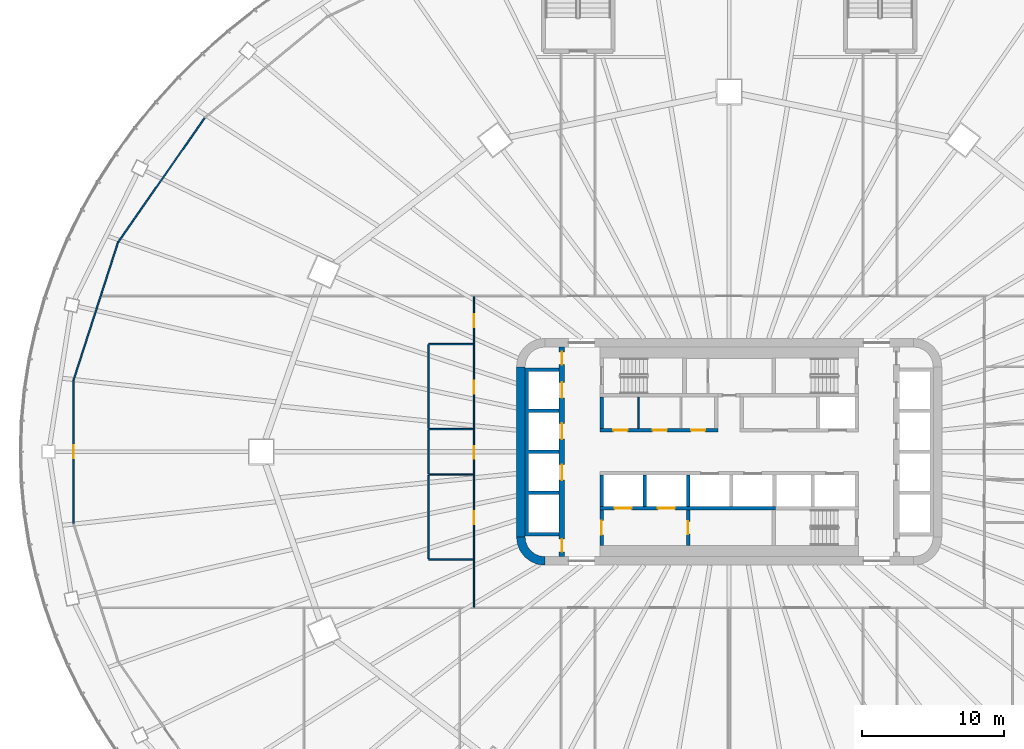
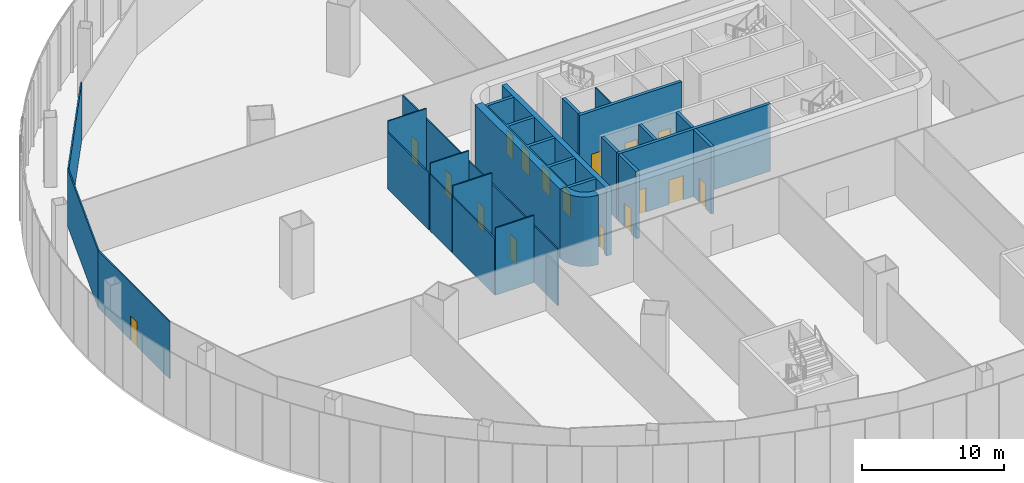
# One storey, part 22 of 37: 24 walls, 17 doors, 17 openings.
"""IFC4 building model written with IfcOpenShell, lengths in metres."""

from ifc_helpers import new_model, si_unit, direction, frame, frame_2d, origin, place, context, subcontext, project, spatial, polyline, rectangle, outline, extrude, material, layer, layer_set, type_object, element, fill, save


model = new_model("IFC4")

# Units and contexts
model_context = context("Model", 3, precision=1e-05, world=origin(), true_north=direction((0.0, 1.0)))
body_context = subcontext(model_context, "Body", "Model", "MODEL_VIEW")
ifc_project = project(units=[si_unit("LENGTHUNIT", "METRE"), si_unit("AREAUNIT", "SQUARE_METRE"), si_unit("VOLUMEUNIT", "CUBIC_METRE"), si_unit("PLANEANGLEUNIT", "RADIAN"), si_unit("MASSUNIT", "GRAM", prefix="KILO")], contexts=[model_context])

# Site, building, storey
site_placement = place(None, origin())
site = spatial("IfcSite", under=ifc_project, at=site_placement, CompositionType="ELEMENT")
building_placement = place(site_placement, origin())
building = spatial("IfcBuilding", under=site, at=building_placement, Name="Sahrelin Media Tower", CompositionType="ELEMENT")
storey_placement = place(building_placement, frame((0.0, 0.0, 31.39990234375)))
storey = spatial("IfcBuildingStorey", under=building, at=storey_placement, Name="L04", CompositionType="ELEMENT", Elevation=31.39990234375)

# Walls
ifc_material_1 = material(Name="Concrete C60/75", Category="concrete")
ifc_layer_1 = layer(ifc_material_1, 0.60009765625)
ifc_layer_set_1 = layer_set([ifc_layer_1], Name="Core wall 600")
wall_type_1 = type_object("IfcWallType", Name="Core wall 600", PredefinedType="SHEAR", material=ifc_layer_set_1)
wall_1_placement = place(storey_placement, frame((-14.699951171875, -6.0, 0.0), z_axis=(0.0, 0.0, 1.0), x_axis=(0.0, 1.0, 0.0)))
element("IfcWall", 1, at=wall_1_placement, inside=storey, type_object=wall_type_1, Name="Core wall W L04", PredefinedType="SHEAR", context=body_context, shape_type="SweptSolid", body=[
    extrude(rectangle(XDim=12.0, YDim=0.60009765625, at=frame_2d((6.0, 0.0))), origin(), (0.0, 0.0, 1.0), 6.0),
])
placement = place(storey_placement, origin())
element("IfcWall", 2, at=placement, inside=storey, type_object=wall_type_1, Name="Core wall corner SW L04", PredefinedType="SHEAR", context=body_context, shape_type="SweptSolid", body=[
    extrude(outline(polyline([(-13.0, -8.0), (-13.0, -7.394775390625), (-13.361083984375, -7.347412109375), (-13.697509765625, -7.2080078125), (-13.986328125, -6.986328125), (-14.2080078125, -6.697509765625), (-14.347412109375, -6.361083984375), (-14.394775390625, -6.0), (-15.0, -6.0), (-14.931884765625, -6.517578125), (-14.732177734375, -7.0), (-14.414306640625, -7.414306640625), (-14.0, -7.732177734375), (-13.517578125, -7.931884765625), (-13.0, -8.0)])), origin(), (0.0, 0.0, 1.0), 6.0),
])

# Wall, openings, doors
ifc_material_2 = material(Name="Fire-rated gypsum board partition")
ifc_layer_2 = layer(ifc_material_2, 0.25)
ifc_layer_set_2 = layer_set([ifc_layer_2], Name="Fire-rated lobby wall 250")
wall_type_2 = type_object("IfcWallType", Name="Fire-rated lobby wall 250", PredefinedType="PARTITIONING", material=ifc_layer_set_2)
wall_3_placement = place(storey_placement, frame((-9.125, 1.52490234375, 0.0), z_axis=(0.0, 0.0, 1.0), x_axis=(1.0, 0.0, 0.0)))
wall_3 = element("IfcWall", 3, at=wall_3_placement, inside=storey, type_object=wall_type_2, Name="Core lobby wall", PredefinedType="PARTITIONING", context=body_context, shape_type="SweptSolid", body=[
    extrude(rectangle(XDim=8.35009765625, YDim=0.25, at=frame_2d((4.175048828125, 0.0))), origin(), (0.0, 0.0, 1.0), 5.800048828125),
])
opening_1_placement = place(wall_3_placement, frame((0.96240234375, 0.0, 0.0)))
opening_1 = element("IfcOpeningElement", 4, at=opening_1_placement, cuts=wall_3, Name="Opening L04-D08", PredefinedType="OPENING", context=body_context, shape_type="SweptSolid", body=[
    extrude(rectangle(XDim=1.0, YDim=2.10009765625, at=frame_2d((0.5, 1.050048828125))), frame((0.0, 0.125, 0.0), z_axis=(0.0, -1.0, 0.0), x_axis=(1.0, 0.0, 0.0)), (0.0, 0.0, 1.0), 0.25),
])
opening_2_placement = place(wall_3_placement, frame((3.72509765625, 0.0, 0.0)))
opening_2 = element("IfcOpeningElement", 5, at=opening_2_placement, cuts=wall_3, Name="Opening L04-D09", PredefinedType="OPENING", context=body_context, shape_type="SweptSolid", body=[
    extrude(rectangle(XDim=1.0, YDim=2.10009765625, at=frame_2d((0.5, 1.050048828125))), frame((0.0, 0.125, 0.0), z_axis=(0.0, -1.0, 0.0), x_axis=(1.0, 0.0, 0.0)), (0.0, 0.0, 1.0), 0.25),
])
opening_3_placement = place(wall_3_placement, frame((6.4375, 0.0, 0.0)))
opening_3 = element("IfcOpeningElement", 6, at=opening_3_placement, cuts=wall_3, Name="Opening L04-D10", PredefinedType="OPENING", context=body_context, shape_type="SweptSolid", body=[
    extrude(rectangle(XDim=1.0, YDim=2.10009765625, at=frame_2d((0.5, 1.050048828125))), frame((0.0, 0.125, 0.0), z_axis=(0.0, -1.0, 0.0), x_axis=(1.0, 0.0, 0.0)), (0.0, 0.0, 1.0), 0.25),
])
ifc_material_3 = material(Name="Steel fire door leaf", Category="steel")
door_type_1 = type_object("IfcDoorType", Name="Fire door 1000 x 2100 EI 60", OperationType="NOTDEFINED", PredefinedType="DOOR", material=ifc_material_3)
door_1_placement = place(opening_1_placement, origin())
door_1 = element("IfcDoor", 7, at=door_1_placement, inside=storey, type_object=door_type_1, Name="Core room door", OperationType="SINGLE_SWING_LEFT", OverallHeight=2.10009765625, OverallWidth=1.0, PredefinedType="DOOR", context=body_context, shape_type="SweptSolid", body=[
    extrude(rectangle(XDim=1.0, YDim=2.10009765625, at=frame_2d((0.5, 1.050048828125))), frame((0.0, 0.02490234375, 0.0), z_axis=(0.0, -1.0, 0.0), x_axis=(1.0, 0.0, 0.0)), (0.0, 0.0, 1.0), 0.050048828125),
])
fill(opening_1, door_1)
door_2_placement = place(opening_2_placement, origin())
door_2 = element("IfcDoor", 8, at=door_2_placement, inside=storey, type_object=door_type_1, Name="Core room door", OperationType="SINGLE_SWING_LEFT", OverallHeight=2.10009765625, OverallWidth=1.0, PredefinedType="DOOR", context=body_context, shape_type="SweptSolid", body=[
    extrude(rectangle(XDim=1.0, YDim=2.10009765625, at=frame_2d((0.5, 1.050048828125))), frame((0.0, 0.02490234375, 0.0), z_axis=(0.0, -1.0, 0.0), x_axis=(1.0, 0.0, 0.0)), (0.0, 0.0, 1.0), 0.050048828125),
])
fill(opening_2, door_2)
door_3_placement = place(opening_3_placement, origin())
door_3 = element("IfcDoor", 9, at=door_3_placement, inside=storey, type_object=door_type_1, Name="Core room door", OperationType="SINGLE_SWING_LEFT", OverallHeight=2.10009765625, OverallWidth=1.0, PredefinedType="DOOR", context=body_context, shape_type="SweptSolid", body=[
    extrude(rectangle(XDim=1.0, YDim=2.10009765625, at=frame_2d((0.5, 1.050048828125))), frame((0.0, 0.02490234375, 0.0), z_axis=(0.0, -1.0, 0.0), x_axis=(1.0, 0.0, 0.0)), (0.0, 0.0, 1.0), 0.050048828125),
])
fill(opening_3, door_3)

# Walls
wall_4_placement = place(storey_placement, frame((-9.0, 1.64990234375, 0.0), z_axis=(0.0, 0.0, 1.0), x_axis=(0.0, 1.0, 0.0)))
element("IfcWall", 10, at=wall_4_placement, inside=storey, type_object=wall_type_2, Name="Core lobby wall", PredefinedType="PARTITIONING", context=body_context, shape_type="SweptSolid", body=[
    extrude(rectangle(XDim=2.2001953125, YDim=0.25, at=frame_2d((1.10009765625, 0.0))), origin(), (0.0, 0.0, 1.0), 5.800048828125),
])
ifc_layer_3 = layer(ifc_material_2, 0.10009765625)
ifc_layer_set_3 = layer_set([ifc_layer_3], Name="Fire-rated partition 100")
wall_type_3 = type_object("IfcWallType", Name="Fire-rated partition 100", PredefinedType="PARTITIONING", material=ifc_layer_set_3)
wall_5_placement = place(storey_placement, frame((-6.39990234375, 1.64990234375, 0.0), z_axis=(0.0, 0.0, 1.0), x_axis=(0.0, 1.0, 0.0)))
element("IfcWall", 11, at=wall_5_placement, inside=storey, type_object=wall_type_3, Name="Core room partition", PredefinedType="PARTITIONING", context=body_context, shape_type="SweptSolid", body=[
    extrude(rectangle(XDim=2.2001953125, YDim=0.10009765625, at=frame_2d((1.10009765625, 0.0))), origin(), (0.0, 0.0, 1.0), 5.800048828125),
])

# Wall, opening, door
ifc_layer_4 = layer(ifc_material_2, 0.25)
ifc_layer_set_4 = layer_set([ifc_layer_4], Name="Firefighting lobby wall 250")
wall_type_4 = type_object("IfcWallType", Name="Firefighting lobby wall 250", PredefinedType="PARTITIONING", material=ifc_layer_set_4)
wall_6_placement = place(storey_placement, frame((-9.0, -6.60009765625, 0.0), z_axis=(0.0, 0.0, 1.0), x_axis=(0.0, 1.0, 0.0)))
wall_6 = element("IfcWall", 12, at=wall_6_placement, inside=storey, type_object=wall_type_4, Name="Core wall", PredefinedType="PARTITIONING", context=body_context, shape_type="SweptSolid", body=[
    extrude(rectangle(XDim=2.5, YDim=0.25, at=frame_2d((1.25, 0.0))), origin(), (0.0, 0.0, 1.0), 5.800048828125),
])
opening_4_placement = place(wall_6_placement, frame((0.75, 0.0, 0.0)))
opening_4 = element("IfcOpeningElement", 13, at=opening_4_placement, cuts=wall_6, Name="Opening L04-D04", PredefinedType="OPENING", context=body_context, shape_type="SweptSolid", body=[
    extrude(rectangle(XDim=1.0, YDim=2.10009765625, at=frame_2d((0.5, 1.050048828125))), frame((0.0, 0.125, 0.0), z_axis=(0.0, -1.0, 0.0), x_axis=(1.0, 0.0, 0.0)), (0.0, 0.0, 1.0), 0.25),
])
door_type_2 = type_object("IfcDoorType", Name="Firefighting lobby door 1000 x 2100 EI 120", OperationType="NOTDEFINED", PredefinedType="DOOR", material=ifc_material_3)
door_4_placement = place(opening_4_placement, origin())
door_4 = element("IfcDoor", 14, at=door_4_placement, inside=storey, type_object=door_type_2, Name="Firefighting lobby door", OperationType="SINGLE_SWING_LEFT", OverallHeight=2.10009765625, OverallWidth=1.0, PredefinedType="DOOR", context=body_context, shape_type="SweptSolid", body=[
    extrude(rectangle(XDim=1.0, YDim=2.10009765625, at=frame_2d((0.5, 1.050048828125))), frame((0.0, 0.02490234375, 0.0), z_axis=(0.0, -1.0, 0.0), x_axis=(1.0, 0.0, 0.0)), (0.0, 0.0, 1.0), 0.050048828125),
])
fill(opening_4, door_4)

wall_7_placement = place(storey_placement, frame((-2.89990234375, -6.60009765625, 0.0), z_axis=(0.0, 0.0, 1.0), x_axis=(0.0, 1.0, 0.0)))
wall_7 = element("IfcWall", 15, at=wall_7_placement, inside=storey, type_object=wall_type_4, Name="Core wall", PredefinedType="PARTITIONING", context=body_context, shape_type="SweptSolid", body=[
    extrude(rectangle(XDim=2.5, YDim=0.25, at=frame_2d((1.25, 0.0))), origin(), (0.0, 0.0, 1.0), 5.800048828125),
])
opening_5_placement = place(wall_7_placement, frame((0.800048828125, 0.0, 0.0)))
opening_5 = element("IfcOpeningElement", 16, at=opening_5_placement, cuts=wall_7, Name="Opening L04-D05", PredefinedType="OPENING", context=body_context, shape_type="SweptSolid", body=[
    extrude(rectangle(XDim=0.89990234375, YDim=2.10009765625, at=frame_2d((0.449951171875, 1.050048828125))), frame((0.0, 0.125, 0.0), z_axis=(0.0, -1.0, 0.0), x_axis=(1.0, 0.0, 0.0)), (0.0, 0.0, 1.0), 0.25),
])
door_type_3 = type_object("IfcDoorType", Name="Firefighting lobby door 900 x 2100 EI 120", OperationType="NOTDEFINED", PredefinedType="DOOR", material=ifc_material_3)
door_5_placement = place(opening_5_placement, origin())
door_5 = element("IfcDoor", 17, at=door_5_placement, inside=storey, type_object=door_type_3, Name="Riser door", OperationType="SINGLE_SWING_RIGHT", OverallHeight=2.10009765625, OverallWidth=0.89990234375, PredefinedType="DOOR", context=body_context, shape_type="SweptSolid", body=[
    extrude(rectangle(XDim=0.89990234375, YDim=2.10009765625, at=frame_2d((0.449951171875, 1.050048828125))), frame((0.0, 0.02490234375, 0.0), z_axis=(0.0, -1.0, 0.0), x_axis=(1.0, 0.0, 0.0)), (0.0, 0.0, 1.0), 0.050048828125),
])
fill(opening_5, door_5)

# Wall, openings, doors
ifc_layer_5 = layer(ifc_material_1, 0.25)
ifc_layer_set_5 = layer_set([ifc_layer_5], Name="Lift shaft wall 250")
wall_type_5 = type_object("IfcWallType", Name="Lift shaft wall 250", PredefinedType="SOLIDWALL", material=ifc_layer_set_5)
wall_8_placement = place(storey_placement, frame((-9.125, -3.97509765625, 0.0), z_axis=(0.0, 0.0, 1.0), x_axis=(1.0, 0.0, 0.0)))
wall_8 = element("IfcWall", 18, at=wall_8_placement, inside=storey, type_object=wall_type_5, Name="Lift shaft wall", PredefinedType="SOLIDWALL", context=body_context, shape_type="SweptSolid", body=[
    extrude(rectangle(XDim=12.39990234375, YDim=0.25, at=frame_2d((6.199951171875, 0.0))), origin(), (0.0, 0.0, 1.0), 5.800048828125),
])
opening_6_placement = place(wall_8_placement, frame((1.050048828125, 0.0, 0.0)))
opening_6 = element("IfcOpeningElement", 19, at=opening_6_placement, cuts=wall_8, Name="Opening L04-LD-FF1", PredefinedType="OPENING", context=body_context, shape_type="SweptSolid", body=[
    extrude(rectangle(XDim=1.199951171875, YDim=2.10009765625, at=frame_2d((0.60009765625, 1.050048828125))), frame((0.0, 0.125, 0.0), z_axis=(0.0, -1.0, 0.0), x_axis=(1.0, 0.0, 0.0)), (0.0, 0.0, 1.0), 0.25),
])
opening_7_placement = place(wall_8_placement, frame((4.10009765625, 0.0, 0.0)))
opening_7 = element("IfcOpeningElement", 20, at=opening_7_placement, cuts=wall_8, Name="Opening L04-LD-FF2", PredefinedType="OPENING", context=body_context, shape_type="SweptSolid", body=[
    extrude(rectangle(XDim=1.199951171875, YDim=2.10009765625, at=frame_2d((0.60009765625, 1.050048828125))), frame((0.0, 0.125, 0.0), z_axis=(0.0, -1.0, 0.0), x_axis=(1.0, 0.0, 0.0)), (0.0, 0.0, 1.0), 0.25),
])
ifc_material_4 = material(Name="Stainless steel", Category="steel")
door_type_4 = type_object("IfcDoorType", Name="Lift landing door 1200 x 2100 EI 120", OperationType="DOUBLE_DOOR_SLIDING", PredefinedType="DOOR", material=ifc_material_4)
door_6_placement = place(opening_6_placement, origin())
door_6 = element("IfcDoor", 21, at=door_6_placement, inside=storey, type_object=door_type_4, Name="Lift landing door FF1", OperationType="DOUBLE_DOOR_SLIDING", OverallHeight=2.10009765625, OverallWidth=1.199951171875, PredefinedType="DOOR", context=body_context, shape_type="SweptSolid", body=[
    extrude(rectangle(XDim=1.199951171875, YDim=2.10009765625, at=frame_2d((0.60009765625, 1.050048828125))), frame((0.0, 0.02490234375, 0.0), z_axis=(0.0, -1.0, 0.0), x_axis=(1.0, 0.0, 0.0)), (0.0, 0.0, 1.0), 0.050048828125),
])
fill(opening_6, door_6)
door_7_placement = place(opening_7_placement, origin())
door_7 = element("IfcDoor", 22, at=door_7_placement, inside=storey, type_object=door_type_4, Name="Lift landing door FF2", OperationType="DOUBLE_DOOR_SLIDING", OverallHeight=2.10009765625, OverallWidth=1.199951171875, PredefinedType="DOOR", context=body_context, shape_type="SweptSolid", body=[
    extrude(rectangle(XDim=1.199951171875, YDim=2.10009765625, at=frame_2d((0.60009765625, 1.050048828125))), frame((0.0, 0.02490234375, 0.0), z_axis=(0.0, -1.0, 0.0), x_axis=(1.0, 0.0, 0.0)), (0.0, 0.0, 1.0), 0.050048828125),
])
fill(opening_7, door_7)

# Walls
for number, where, z_axis, x_axis, name in (
    (23, (-9.0, -3.85009765625, 0.0), (0.0, 0.0, 1.0), (0.0, 1.0, 0.0), "Lift shaft wall"),
    (24, (-5.949951171875, -3.85009765625, 0.0), (0.0, 0.0, 1.0), (0.0, 1.0, 0.0), "Lift shaft wall"),
    (25, (-2.89990234375, -3.85009765625, 0.0), (0.0, 0.0, 1.0), (0.0, 1.0, 0.0), "Lift shaft wall"),
):
    element("IfcWall", number, at=place(storey_placement, frame(where, z_axis=z_axis, x_axis=x_axis)), inside=storey, type_object=wall_type_5, Name=name, PredefinedType="SOLIDWALL", context=body_context, shape_type="SweptSolid", body=[
        extrude(rectangle(XDim=2.2001953125, YDim=0.25, at=frame_2d((1.10009765625, 0.0))), origin(), (0.0, 0.0, 1.0), 5.800048828125),
    ])
element("IfcWall", 26, at=placement, inside=storey, type_object=wall_type_5, Name="Lift shaft wall", PredefinedType="SOLIDWALL", context=body_context, shape_type="SweptSolid", body=[
    extrude(outline(polyline([(-12.0, -5.925048828125), (-12.0, -5.675048828125), (-14.14990234375, -5.675048828125), (-14.14990234375, -3.02490234375), (-12.0, -3.02490234375), (-12.0, -2.77490234375), (-14.14990234375, -2.77490234375), (-14.14990234375, -0.125), (-12.0, -0.125), (-12.0, 0.125), (-14.14990234375, 0.125), (-14.14990234375, 2.77490234375), (-12.0, 2.77490234375), (-12.0, 3.02490234375), (-14.14990234375, 3.02490234375), (-14.14990234375, 5.675048828125), (-12.0, 5.675048828125), (-12.0, 5.925048828125), (-14.14990234375, 5.925048828125), (-14.39990234375, 5.925048828125), (-14.39990234375, 5.675048828125), (-14.39990234375, 3.02490234375), (-14.39990234375, 2.77490234375), (-14.39990234375, 0.125), (-14.39990234375, -0.125), (-14.39990234375, -2.77490234375), (-14.39990234375, -3.02490234375), (-14.39990234375, -5.675048828125), (-14.39990234375, -5.925048828125), (-14.14990234375, -5.925048828125), (-12.0, -5.925048828125)])), origin(), (0.0, 0.0, 1.0), 5.800048828125),
])

# Wall, openings, doors
ifc_layer_6 = layer(ifc_material_1, 0.39990234375)
ifc_layer_set_6 = layer_set([ifc_layer_6], Name="Lift shaft wall 400")
wall_type_6 = type_object("IfcWallType", Name="Lift shaft wall 400", PredefinedType="SOLIDWALL", material=ifc_layer_set_6)
wall_10_placement = place(storey_placement, frame((-11.800048828125, -7.39990234375, 0.0), z_axis=(0.0, 0.0, 1.0), x_axis=(0.0, 1.0, 0.0)))
wall_10 = element("IfcWall", 27, at=wall_10_placement, inside=storey, type_object=wall_type_6, Name="Lift shaft wall", PredefinedType="SOLIDWALL", context=body_context, shape_type="SweptSolid", body=[
    extrude(rectangle(XDim=14.7998046875, YDim=0.39990234375, at=frame_2d((7.39990234375, 0.0))), origin(), (0.0, 0.0, 1.0), 5.800048828125),
])
opening_8_placement = place(wall_10_placement, frame((11.199951171875, 0.0, 0.0)))
opening_8 = element("IfcOpeningElement", 28, at=opening_8_placement, cuts=wall_10, Name="Opening L04-LD-LR1", PredefinedType="OPENING", context=body_context, shape_type="SweptSolid", body=[
    extrude(rectangle(XDim=1.10009765625, YDim=2.10009765625, at=frame_2d((0.550048828125, 1.050048828125))), frame((0.0, 0.199951171875, 0.0), z_axis=(0.0, -1.0, 0.0), x_axis=(1.0, 0.0, 0.0)), (0.0, 0.0, 1.0), 0.39990234375),
])
opening_9_placement = place(wall_10_placement, frame((8.300048828125, 0.0, 0.0)))
opening_9 = element("IfcOpeningElement", 29, at=opening_9_placement, cuts=wall_10, Name="Opening L04-LD-LR2", PredefinedType="OPENING", context=body_context, shape_type="SweptSolid", body=[
    extrude(rectangle(XDim=1.10009765625, YDim=2.10009765625, at=frame_2d((0.550048828125, 1.050048828125))), frame((0.0, 0.199951171875, 0.0), z_axis=(0.0, -1.0, 0.0), x_axis=(1.0, 0.0, 0.0)), (0.0, 0.0, 1.0), 0.39990234375),
])
opening_10_placement = place(wall_10_placement, frame((5.39990234375, 0.0, 0.0)))
opening_10 = element("IfcOpeningElement", 30, at=opening_10_placement, cuts=wall_10, Name="Opening L04-LD-LR3", PredefinedType="OPENING", context=body_context, shape_type="SweptSolid", body=[
    extrude(rectangle(XDim=1.10009765625, YDim=2.10009765625, at=frame_2d((0.550048828125, 1.050048828125))), frame((0.0, 0.199951171875, 0.0), z_axis=(0.0, -1.0, 0.0), x_axis=(1.0, 0.0, 0.0)), (0.0, 0.0, 1.0), 0.39990234375),
])
opening_11_placement = place(wall_10_placement, frame((13.552490234375, 0.0, 0.0)))
opening_11 = element("IfcOpeningElement", 31, at=opening_11_placement, cuts=wall_10, Name="Opening L04-D12", PredefinedType="OPENING", context=body_context, shape_type="SweptSolid", body=[
    extrude(rectangle(XDim=0.89990234375, YDim=2.10009765625, at=frame_2d((0.449951171875, 1.050048828125))), frame((0.0, 0.199951171875, 0.0), z_axis=(0.0, -1.0, 0.0), x_axis=(1.0, 0.0, 0.0)), (0.0, 0.0, 1.0), 0.39990234375),
])
opening_12_placement = place(wall_10_placement, frame((0.347412109375, 0.0, 0.0)))
opening_12 = element("IfcOpeningElement", 32, at=opening_12_placement, cuts=wall_10, Name="Opening L04-D13", PredefinedType="OPENING", context=body_context, shape_type="SweptSolid", body=[
    extrude(rectangle(XDim=0.89990234375, YDim=2.10009765625, at=frame_2d((0.449951171875, 1.050048828125))), frame((0.0, 0.199951171875, 0.0), z_axis=(0.0, -1.0, 0.0), x_axis=(1.0, 0.0, 0.0)), (0.0, 0.0, 1.0), 0.39990234375),
])
door_type_5 = type_object("IfcDoorType", Name="Lift landing door 1100 x 2100 EI 120", OperationType="DOUBLE_DOOR_SLIDING", PredefinedType="DOOR", material=ifc_material_4)
door_8_placement = place(opening_8_placement, origin())
door_8 = element("IfcDoor", 33, at=door_8_placement, inside=storey, type_object=door_type_5, Name="Lift landing door LR1", OperationType="DOUBLE_DOOR_SLIDING", OverallHeight=2.10009765625, OverallWidth=1.10009765625, PredefinedType="DOOR", context=body_context, shape_type="SweptSolid", body=[
    extrude(rectangle(XDim=1.10009765625, YDim=2.10009765625, at=frame_2d((0.550048828125, 1.050048828125))), frame((0.0, 0.02490234375, 0.0), z_axis=(0.0, -1.0, 0.0), x_axis=(1.0, 0.0, 0.0)), (0.0, 0.0, 1.0), 0.050048828125),
])
fill(opening_8, door_8)
door_9_placement = place(opening_9_placement, origin())
door_9 = element("IfcDoor", 34, at=door_9_placement, inside=storey, type_object=door_type_5, Name="Lift landing door LR2", OperationType="DOUBLE_DOOR_SLIDING", OverallHeight=2.10009765625, OverallWidth=1.10009765625, PredefinedType="DOOR", context=body_context, shape_type="SweptSolid", body=[
    extrude(rectangle(XDim=1.10009765625, YDim=2.10009765625, at=frame_2d((0.550048828125, 1.050048828125))), frame((0.0, 0.02490234375, 0.0), z_axis=(0.0, -1.0, 0.0), x_axis=(1.0, 0.0, 0.0)), (0.0, 0.0, 1.0), 0.050048828125),
])
fill(opening_9, door_9)
door_10_placement = place(opening_10_placement, origin())
door_10 = element("IfcDoor", 35, at=door_10_placement, inside=storey, type_object=door_type_5, Name="Lift landing door LR3", OperationType="DOUBLE_DOOR_SLIDING", OverallHeight=2.10009765625, OverallWidth=1.10009765625, PredefinedType="DOOR", context=body_context, shape_type="SweptSolid", body=[
    extrude(rectangle(XDim=1.10009765625, YDim=2.10009765625, at=frame_2d((0.550048828125, 1.050048828125))), frame((0.0, 0.02490234375, 0.0), z_axis=(0.0, -1.0, 0.0), x_axis=(1.0, 0.0, 0.0)), (0.0, 0.0, 1.0), 0.050048828125),
])
fill(opening_10, door_10)
door_type_6 = type_object("IfcDoorType", Name="Riser door 900 x 2100 EI 120", OperationType="NOTDEFINED", PredefinedType="DOOR", material=ifc_material_3)
door_11_placement = place(opening_11_placement, origin())
door_11 = element("IfcDoor", 36, at=door_11_placement, inside=storey, type_object=door_type_6, Name="Riser door", OperationType="SINGLE_SWING_LEFT", OverallHeight=2.10009765625, OverallWidth=0.89990234375, PredefinedType="DOOR", context=body_context, shape_type="SweptSolid", body=[
    extrude(rectangle(XDim=0.89990234375, YDim=2.10009765625, at=frame_2d((0.449951171875, 1.050048828125))), frame((0.0, 0.02490234375, 0.0), z_axis=(0.0, -1.0, 0.0), x_axis=(1.0, 0.0, 0.0)), (0.0, 0.0, 1.0), 0.050048828125),
])
fill(opening_11, door_11)
door_12_placement = place(opening_12_placement, origin())
door_12 = element("IfcDoor", 37, at=door_12_placement, inside=storey, type_object=door_type_6, Name="Riser door", OperationType="SINGLE_SWING_LEFT", OverallHeight=2.10009765625, OverallWidth=0.89990234375, PredefinedType="DOOR", context=body_context, shape_type="SweptSolid", body=[
    extrude(rectangle(XDim=0.89990234375, YDim=2.10009765625, at=frame_2d((0.449951171875, 1.050048828125))), frame((0.0, 0.02490234375, 0.0), z_axis=(0.0, -1.0, 0.0), x_axis=(1.0, 0.0, 0.0)), (0.0, 0.0, 1.0), 0.050048828125),
])
fill(opening_12, door_12)

# Walls
ifc_material_5 = material(Name="Gypsum board partition")
ifc_layer_7 = layer(ifc_material_5, 0.10009765625)
ifc_layer_set_7 = layer_set([ifc_layer_7], Name="Partition 100")
wall_type_7 = type_object("IfcWallType", Name="Partition 100", PredefinedType="PARTITIONING", material=ifc_layer_set_7)
wall_11_placement = place(storey_placement, frame((-37.010009765625, 23.528564453125, 0.0), z_axis=(0.0, 0.0, 1.0), x_axis=(-0.571737958261, -0.820436290692, 0.0)))
element("IfcWall", 38, at=wall_11_placement, inside=storey, type_object=wall_type_7, Name="Wall", PredefinedType="PARTITIONING", context=body_context, shape_type="SweptSolid", body=[
    extrude(rectangle(XDim=10.650146484375, YDim=0.10009765625, at=frame_2d((5.3251953125, 0.0))), origin(), (0.0, 0.0, 1.0), 5.026123046875),
])
wall_12_placement = place(storey_placement, frame((-43.09912109375, 14.790771484375, 0.0), z_axis=(0.0, 0.0, 1.0), x_axis=(-0.307713034182, -0.951479210805, 0.0)))
element("IfcWall", 39, at=wall_12_placement, inside=storey, type_object=wall_type_7, Name="Wall", PredefinedType="PARTITIONING", context=body_context, shape_type="SweptSolid", body=[
    extrude(rectangle(XDim=10.242919921875, YDim=0.10009765625, at=frame_2d((5.12158203125, 0.0))), origin(), (0.0, 0.0, 1.0), 4.945068359375),
])

# Wall, opening, door
wall_13_placement = place(storey_placement, frame((-46.2509765625, 5.044921875, 0.0), z_axis=(0.0, 0.0, 1.0), x_axis=(0.0, -1.0, 0.0)))
wall_13 = element("IfcWall", 40, at=wall_13_placement, inside=storey, type_object=wall_type_7, Name="Wall", PredefinedType="PARTITIONING", context=body_context, shape_type="SweptSolid", body=[
    extrude(rectangle(XDim=10.08984375, YDim=0.10009765625, at=frame_2d((5.044921875, 0.0))), origin(), (0.0, 0.0, 1.0), 4.945068359375),
])
opening_13_placement = place(wall_13_placement, frame((4.594970703125, 0.0, 0.0)))
opening_13 = element("IfcOpeningElement", 41, at=opening_13_placement, cuts=wall_13, Name="Opening L04-D45", PredefinedType="OPENING", context=body_context, shape_type="SweptSolid", body=[
    extrude(rectangle(XDim=0.89990234375, YDim=2.10009765625, at=frame_2d((0.449951171875, 1.050048828125))), frame((0.0, 0.050048828125, 0.0), z_axis=(0.0, -1.0, 0.0), x_axis=(1.0, 0.0, 0.0)), (0.0, 0.0, 1.0), 0.10009765625),
])
ifc_material_6 = material(Name="Timber door leaf", Category="wood")
door_type_7 = type_object("IfcDoorType", Name="Single door 900 x 2100", OperationType="NOTDEFINED", PredefinedType="DOOR", material=ifc_material_6)
door_13_placement = place(opening_13_placement, origin())
door_13 = element("IfcDoor", 42, at=door_13_placement, inside=storey, type_object=door_type_7, Name="Single door", OperationType="SINGLE_SWING_RIGHT", OverallHeight=2.10009765625, OverallWidth=0.89990234375, PredefinedType="DOOR", context=body_context, shape_type="SweptSolid", body=[
    extrude(rectangle(XDim=0.89990234375, YDim=2.10009765625, at=frame_2d((0.449951171875, 1.050048828125))), frame((0.0, 0.02490234375, 0.0), z_axis=(0.0, -1.0, 0.0), x_axis=(1.0, 0.0, 0.0)), (0.0, 0.0, 1.0), 0.050048828125),
])
fill(opening_13, door_13)

# Wall, openings, doors
wall_14_placement = place(storey_placement, frame((-18.0, -10.949951171875, 0.0), z_axis=(0.0, 0.0, 1.0), x_axis=(0.0, 1.0, 0.0)))
wall_14 = element("IfcWall", 43, at=wall_14_placement, inside=storey, type_object=wall_type_7, Name="Wall", PredefinedType="PARTITIONING", context=body_context, shape_type="SweptSolid", body=[
    extrude(rectangle(XDim=21.89990234375, YDim=0.10009765625, at=frame_2d((10.949951171875, 0.0))), origin(), (0.0, 0.0, 1.0), 4.877197265625),
])
opening_14_placement = place(wall_14_placement, frame((19.75, 0.0, 0.0)))
opening_14 = element("IfcOpeningElement", 44, at=opening_14_placement, cuts=wall_14, Name="Opening L04-D44", PredefinedType="OPENING", context=body_context, shape_type="SweptSolid", body=[
    extrude(rectangle(XDim=0.89990234375, YDim=2.10009765625, at=frame_2d((0.449951171875, 1.050048828125))), frame((0.0, 0.050048828125, 0.0), z_axis=(0.0, -1.0, 0.0), x_axis=(1.0, 0.0, 0.0)), (0.0, 0.0, 1.0), 0.10009765625),
])
opening_15_placement = place(wall_14_placement, frame((5.85009765625, 0.0, 0.0)))
opening_15 = element("IfcOpeningElement", 45, at=opening_15_placement, cuts=wall_14, Name="Opening L04-D46", PredefinedType="OPENING", context=body_context, shape_type="SweptSolid", body=[
    extrude(rectangle(XDim=0.89990234375, YDim=2.10009765625, at=frame_2d((0.449951171875, 1.050048828125))), frame((0.0, 0.050048828125, 0.0), z_axis=(0.0, -1.0, 0.0), x_axis=(1.0, 0.0, 0.0)), (0.0, 0.0, 1.0), 0.10009765625),
])
opening_16_placement = place(wall_14_placement, frame((10.449951171875, 0.0, 0.0)))
opening_16 = element("IfcOpeningElement", 46, at=opening_16_placement, cuts=wall_14, Name="Opening L04-D47", PredefinedType="OPENING", context=body_context, shape_type="SweptSolid", body=[
    extrude(rectangle(XDim=0.89990234375, YDim=2.10009765625, at=frame_2d((0.449951171875, 1.050048828125))), frame((0.0, 0.050048828125, 0.0), z_axis=(0.0, -1.0, 0.0), x_axis=(1.0, 0.0, 0.0)), (0.0, 0.0, 1.0), 0.10009765625),
])
opening_17_placement = place(wall_14_placement, frame((15.050048828125, 0.0, 0.0)))
opening_17 = element("IfcOpeningElement", 47, at=opening_17_placement, cuts=wall_14, Name="Opening L04-D48", PredefinedType="OPENING", context=body_context, shape_type="SweptSolid", body=[
    extrude(rectangle(XDim=0.89990234375, YDim=2.10009765625, at=frame_2d((0.449951171875, 1.050048828125))), frame((0.0, 0.050048828125, 0.0), z_axis=(0.0, -1.0, 0.0), x_axis=(1.0, 0.0, 0.0)), (0.0, 0.0, 1.0), 0.10009765625),
])
door_14_placement = place(opening_14_placement, origin())
door_14 = element("IfcDoor", 48, at=door_14_placement, inside=storey, type_object=door_type_7, Name="Single door", OperationType="SINGLE_SWING_RIGHT", OverallHeight=2.10009765625, OverallWidth=0.89990234375, PredefinedType="DOOR", context=body_context, shape_type="SweptSolid", body=[
    extrude(rectangle(XDim=0.89990234375, YDim=2.10009765625, at=frame_2d((0.449951171875, 1.050048828125))), frame((0.0, 0.02490234375, 0.0), z_axis=(0.0, -1.0, 0.0), x_axis=(1.0, 0.0, 0.0)), (0.0, 0.0, 1.0), 0.050048828125),
])
fill(opening_14, door_14)
door_15_placement = place(opening_15_placement, origin())
door_15 = element("IfcDoor", 49, at=door_15_placement, inside=storey, type_object=door_type_7, Name="Single door", OperationType="SINGLE_SWING_LEFT", OverallHeight=2.10009765625, OverallWidth=0.89990234375, PredefinedType="DOOR", context=body_context, shape_type="SweptSolid", body=[
    extrude(rectangle(XDim=0.89990234375, YDim=2.10009765625, at=frame_2d((0.449951171875, 1.050048828125))), frame((0.0, 0.02490234375, 0.0), z_axis=(0.0, -1.0, 0.0), x_axis=(1.0, 0.0, 0.0)), (0.0, 0.0, 1.0), 0.050048828125),
])
fill(opening_15, door_15)
door_16_placement = place(opening_16_placement, origin())
door_16 = element("IfcDoor", 50, at=door_16_placement, inside=storey, type_object=door_type_7, Name="Single door", OperationType="SINGLE_SWING_LEFT", OverallHeight=2.10009765625, OverallWidth=0.89990234375, PredefinedType="DOOR", context=body_context, shape_type="SweptSolid", body=[
    extrude(rectangle(XDim=0.89990234375, YDim=2.10009765625, at=frame_2d((0.449951171875, 1.050048828125))), frame((0.0, 0.02490234375, 0.0), z_axis=(0.0, -1.0, 0.0), x_axis=(1.0, 0.0, 0.0)), (0.0, 0.0, 1.0), 0.050048828125),
])
fill(opening_16, door_16)
door_17_placement = place(opening_17_placement, origin())
door_17 = element("IfcDoor", 51, at=door_17_placement, inside=storey, type_object=door_type_7, Name="Single door", OperationType="SINGLE_SWING_RIGHT", OverallHeight=2.10009765625, OverallWidth=0.89990234375, PredefinedType="DOOR", context=body_context, shape_type="SweptSolid", body=[
    extrude(rectangle(XDim=0.89990234375, YDim=2.10009765625, at=frame_2d((0.449951171875, 1.050048828125))), frame((0.0, 0.02490234375, 0.0), z_axis=(0.0, -1.0, 0.0), x_axis=(1.0, 0.0, 0.0)), (0.0, 0.0, 1.0), 0.050048828125),
])
fill(opening_17, door_17)

# Walls
for number, where, z_axis, x_axis, name in (
    (52, (-21.199951171875, -7.60009765625, 0.0), (0.0, 0.0, 1.0), (1.0, 0.0, 0.0), "Wall"),
    (53, (-18.050048828125, -1.60009765625, 0.0), (0.0, 0.0, 1.0), (-1.0, 0.0, 0.0), "Wall"),
):
    element("IfcWall", number, at=place(storey_placement, frame(where, z_axis=z_axis, x_axis=x_axis)), inside=storey, type_object=wall_type_7, Name=name, PredefinedType="PARTITIONING", context=body_context, shape_type="SweptSolid", body=[
        extrude(rectangle(XDim=3.14990234375, YDim=0.10009765625, at=frame_2d((1.574951171875, 0.0))), origin(), (0.0, 0.0, 1.0), 5.800048828125),
    ])
wall_15_placement = place(storey_placement, frame((-21.199951171875, -1.64990234375, 0.0), z_axis=(0.0, 0.0, 1.0), x_axis=(0.0, -1.0, 0.0)))
element("IfcWall", 54, at=wall_15_placement, inside=storey, type_object=wall_type_7, Name="Wall", PredefinedType="PARTITIONING", context=body_context, shape_type="SweptSolid", body=[
    extrude(rectangle(XDim=5.900146484375, YDim=0.10009765625, at=frame_2d((2.9501953125, 0.0))), origin(), (0.0, 0.0, 1.0), 4.877197265625),
])
wall_16_placement = place(storey_placement, frame((-18.050048828125, 1.60009765625, 0.0), z_axis=(0.0, 0.0, 1.0), x_axis=(-1.0, 0.0, 0.0)))
element("IfcWall", 55, at=wall_16_placement, inside=storey, type_object=wall_type_7, Name="Wall", PredefinedType="PARTITIONING", context=body_context, shape_type="SweptSolid", body=[
    extrude(rectangle(XDim=3.14990234375, YDim=0.10009765625, at=frame_2d((1.574951171875, 0.0))), origin(), (0.0, 0.0, 1.0), 5.800048828125),
])
wall_17_placement = place(storey_placement, frame((-21.199951171875, 1.550048828125, 0.0), z_axis=(0.0, 0.0, 1.0), x_axis=(0.0, -1.0, 0.0)))
element("IfcWall", 56, at=wall_17_placement, inside=storey, type_object=wall_type_7, Name="Wall", PredefinedType="PARTITIONING", context=body_context, shape_type="SweptSolid", body=[
    extrude(rectangle(XDim=3.10009765625, YDim=0.10009765625, at=frame_2d((1.550048828125, 0.0))), origin(), (0.0, 0.0, 1.0), 4.877197265625),
])
wall_18_placement = place(storey_placement, frame((-18.050048828125, 7.60009765625, 0.0), z_axis=(0.0, 0.0, 1.0), x_axis=(-1.0, 0.0, 0.0)))
element("IfcWall", 57, at=wall_18_placement, inside=storey, type_object=wall_type_7, Name="Wall", PredefinedType="PARTITIONING", context=body_context, shape_type="SweptSolid", body=[
    extrude(rectangle(XDim=3.14990234375, YDim=0.10009765625, at=frame_2d((1.574951171875, 0.0))), origin(), (0.0, 0.0, 1.0), 5.800048828125),
])
wall_19_placement = place(storey_placement, frame((-21.199951171875, 7.550048828125, 0.0), z_axis=(0.0, 0.0, 1.0), x_axis=(0.0, -1.0, 0.0)))
element("IfcWall", 58, at=wall_19_placement, inside=storey, type_object=wall_type_7, Name="Wall", PredefinedType="PARTITIONING", context=body_context, shape_type="SweptSolid", body=[
    extrude(rectangle(XDim=5.900146484375, YDim=0.10009765625, at=frame_2d((2.9501953125, 0.0))), origin(), (0.0, 0.0, 1.0), 4.877197265625),
])

save(model, "model.ifc")
